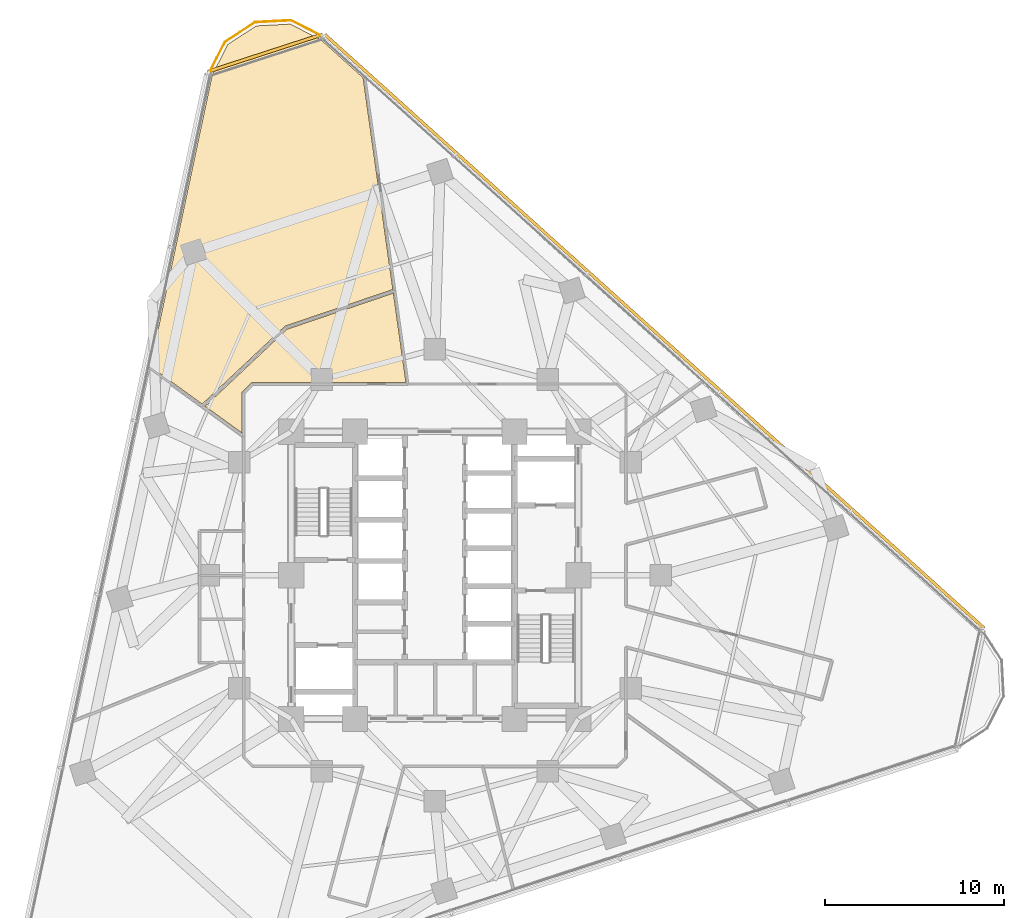
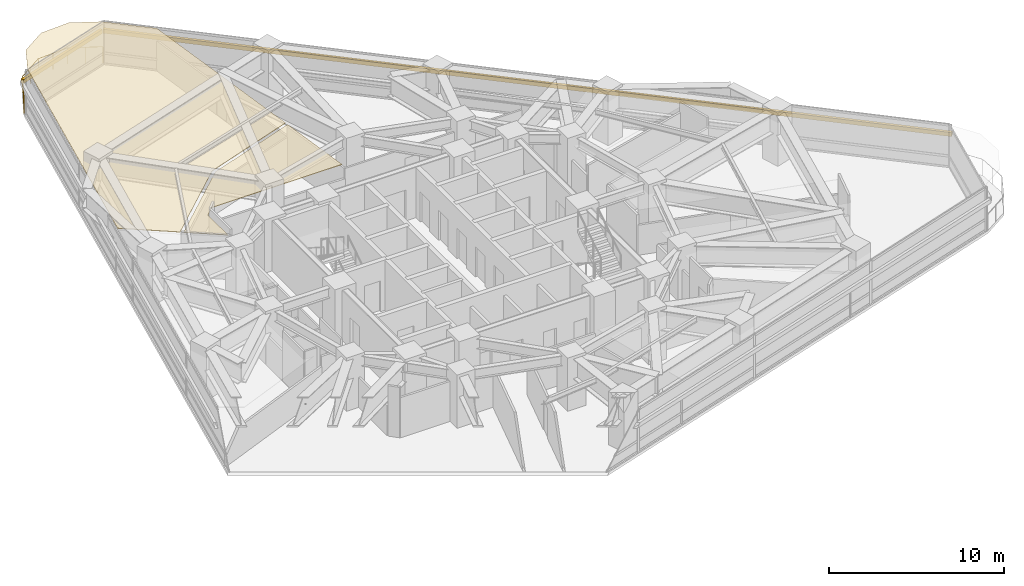
# One storey, part 14 of 14: 2 coverings, 2 shading devices, 1 railing.
"""IFC4 building model written with IfcOpenShell, lengths in metres."""

from ifc_helpers import new_model, si_unit, direction, frame, origin, origin_2d, place, context, subcontext, project, spatial, polyline, rectangle, circle, outline, extrude, material, layer, layer_set, type_object, element, save


model = new_model("IFC4")

# Units and contexts
model_context = context("Model", 3, precision=1e-05, world=origin(), true_north=direction((0.0, 1.0)))
body_context = subcontext(model_context, "Body", "Model", "MODEL_VIEW")
ifc_project = project(units=[si_unit("LENGTHUNIT", "METRE"), si_unit("AREAUNIT", "SQUARE_METRE"), si_unit("VOLUMEUNIT", "CUBIC_METRE"), si_unit("PLANEANGLEUNIT", "RADIAN"), si_unit("MASSUNIT", "GRAM", prefix="KILO")], contexts=[model_context])

# Site, building, storey
site_placement = place(None, origin())
site = spatial("IfcSite", under=ifc_project, at=site_placement, CompositionType="ELEMENT")
building_placement = place(site_placement, origin())
building = spatial("IfcBuilding", under=site, at=building_placement, Name="Terralouvre Media Tower", CompositionType="ELEMENT")
storey_placement = place(building_placement, frame((0.0, 0.0, 116.199951171875)))
storey = spatial("IfcBuildingStorey", under=building, at=storey_placement, Name="L29", CompositionType="ELEMENT", Elevation=116.199951171875)

# Coverings
ifc_material_1 = material(Name="Perforated aluminium acoustic ceiling baffle", Category="aluminium")
ifc_layer_1 = layer(ifc_material_1, 0.0400390625, Name="Perforated Acoustic Metal Tile Ceiling CL-AC1")
ifc_layer_set_1 = layer_set([ifc_layer_1], Name="Perforated aluminium acoustic ceiling baffle")
covering_type = type_object("IfcCoveringType", Name="Perforated Acoustic Metal Tile Ceiling CL-AC1", PredefinedType="CEILING", material=ifc_layer_set_1)
covering_1_placement = place(storey_placement, frame((0.0, 0.0, 2.97998046875), z_axis=(0.0, 0.0, 1.0), x_axis=(0.951056516295, 0.309016994375, 0.0)))
element("IfcCovering", 1, at=covering_1_placement, inside=storey, type_object=covering_type, Name="L29 Broadcast Forum Conference Room 5 Acoustic Ceiling", PredefinedType="CEILING", context=body_context, shape_type="SweptSolid", body=[
    extrude(outline(polyline([(-9.380859375, 13.081787109375), (-3.664306640625, 15.77734375), (-3.654541015625, 15.781494140625), (-3.644287109375, 15.784423828125), (-3.6337890625, 15.7861328125), (-3.623046875, 15.786865234375), (2.69677734375, 15.87060546875), (4.7666015625, 27.608154296875), (3.184326171875, 30.349365234375), (1.825927734375, 31.707275390625), (0.000244140625, 32.1962890625), (-1.826416015625, 31.70703125), (-3.1845703125, 30.3486328125), (-11.483154296875, 15.97509765625), (-9.380859375, 13.081787109375)])), origin(), (0.0, 0.0, 1.0), 0.0400390625),
])
covering_2_placement = place(storey_placement, frame((0.0, 0.0, 2.97998046875), z_axis=(0.0, 0.0, 1.0), x_axis=(0.951056516295, 0.309016994375, 0.0)))
element("IfcCovering", 2, at=covering_2_placement, inside=storey, type_object=covering_type, Name="L29 Exhibitions Reading Library 6 Acoustic Ceiling", PredefinedType="CEILING", context=body_context, shape_type="SweptSolid", body=[
    extrude(outline(polyline([(-3.5986328125, 15.587158203125), (-9.26123046875, 12.9169921875), (-7.77197265625, 10.867919921875), (-7.08740234375, 12.97509765625), (-7.083740234375, 12.984375), (-7.07958984375, 12.9931640625), (-7.07421875, 13.00146484375), (-7.068359375, 13.00927734375), (-7.0615234375, 13.016357421875), (-7.05419921875, 13.022705078125), (-7.046142578125, 13.0283203125), (-7.03759765625, 13.033447265625), (-6.407470703125, 13.354248046875), (-6.398681640625, 13.3583984375), (-6.389404296875, 13.361572265625), (-6.379638671875, 13.36376953125), (-6.3701171875, 13.364990234375), (-6.360107421875, 13.365234375), (-6.350341796875, 13.364501953125), (-6.3408203125, 13.363037109375), (-6.331298828125, 13.3603515625), (1.788818359375, 10.721923828125), (2.661376953125, 15.669921875), (-3.5986328125, 15.587158203125)])), origin(), (0.0, 0.0, 1.0), 0.0400390625),
])

# Railing
ifc_material_2 = material(Name="Stainless steel 316 handrail and balustrade", Category="steel")
ifc_layer_2 = layer(ifc_material_2, 0.06005859375, Name="Roof Edge Safety Guardrail GR-ROOF1")
ifc_layer_set_2 = layer_set([ifc_layer_2], Name="Stainless steel 316 handrail and balustrade")
railing_type = type_object("IfcRailingType", Name="Roof Edge Safety Guardrail GR-ROOF1", PredefinedType="GUARDRAIL", material=ifc_layer_set_2)
railing_placement = place(storey_placement, frame((-6.221435546875, 30.015869140625, 0.0)))
element("IfcRailing", 3, at=railing_placement, inside=storey, type_object=railing_type, Name="L29 Wind-Corner Perimeter Safety Guardrail C2", PredefinedType="GUARDRAIL", context=body_context, shape_type="SweptSolid", body=[
    extrude(circle(Radius=0.02099609375, at=origin_2d()), frame((0.0, 0.0, 1.12890625), z_axis=(-0.890922546915, 0.454155276748, 0.0), x_axis=(-0.454155276748, -0.890922546915, 0.0)), (0.0, 0.0, 1.0), 2.0078125),
    extrude(circle(Radius=0.02099609375, at=origin_2d()), frame((-1.788818359375, 0.911865234375, 1.12890625), z_axis=(-0.998637914219, -0.052175820874, 0.0), x_axis=(0.052175820874, -0.998637914219, 0.0)), (0.0, 0.0, 1.0), 2.00732421875),
    extrude(circle(Radius=0.02099609375, at=origin_2d()), frame((-3.79345703125, 0.80712890625, 1.12890625), z_axis=(-0.838632501794, -0.544697647264, 0.0), x_axis=(0.544697647264, -0.838632501794, 0.0)), (0.0, 0.0, 1.0), 2.007568359375),
    extrude(circle(Radius=0.02099609375, at=origin_2d()), frame((-5.47705078125, -0.286376953125, 1.12890625), z_axis=(-0.453767310879, -0.891120209387, 0.0), x_axis=(0.891120209387, -0.453767310879, 0.0)), (0.0, 0.0, 1.0), 2.0078125),
    extrude(circle(Radius=0.01904296875, at=origin_2d()), origin(), (0.0, 0.0, 1.0), 1.10791015625),
    extrude(circle(Radius=0.01904296875, at=origin_2d()), frame((-0.89453125, 0.4560546875, 0.0)), (0.0, 0.0, 1.0), 1.10791015625),
    extrude(circle(Radius=0.01904296875, at=origin_2d()), frame((-1.788818359375, 0.911865234375, 0.0)), (0.0, 0.0, 1.0), 1.10791015625),
    extrude(circle(Radius=0.01904296875, at=origin_2d()), frame((-2.791015625, 0.859375, 0.0)), (0.0, 0.0, 1.0), 1.10791015625),
    extrude(circle(Radius=0.01904296875, at=origin_2d()), frame((-3.79345703125, 0.80712890625, 0.0)), (0.0, 0.0, 1.0), 1.10791015625),
    extrude(circle(Radius=0.01904296875, at=origin_2d()), frame((-4.63525390625, 0.26025390625, 0.0)), (0.0, 0.0, 1.0), 1.10791015625),
    extrude(circle(Radius=0.01904296875, at=origin_2d()), frame((-5.47705078125, -0.286376953125, 0.0)), (0.0, 0.0, 1.0), 1.10791015625),
    extrude(circle(Radius=0.01904296875, at=origin_2d()), frame((-5.9326171875, -1.18115234375, 0.0)), (0.0, 0.0, 1.0), 1.10791015625),
    extrude(circle(Radius=0.01904296875, at=origin_2d()), frame((-6.38818359375, -2.07568359375, 0.0)), (0.0, 0.0, 1.0), 1.10791015625),
])

# Shading devices
ifc_material_3 = material(Name="Extruded terracotta baguette sunshade louvres", Category="masonry")
shading_device_type = type_object("IfcShadingDeviceType", Name="Terracotta Baguette Sunshade Louvre Screen TB-LV1", PredefinedType="USERDEFINED", material=ifc_material_3)
shading_device_1_placement = place(storey_placement, frame((12.23974609375, 13.59375, 2.02392578125), z_axis=(0.0, 0.0, 1.0), x_axis=(-0.743144795545, 0.669130639602, 0.0)))
element("IfcShadingDevice", 4, at=shading_device_1_placement, inside=storey, type_object=shading_device_type, Name="CW-L29-F1 Terracotta Baguette Sunshade Louvre", ObjectType="BAGUETTE", PredefinedType="USERDEFINED", context=body_context, shape_type="SweptSolid", body=[
    extrude(rectangle(XDim=49.43994140625, YDim=0.179931640625, at=origin_2d()), origin(), (0.0, 0.0, 1.0), 0.280029296875),
])
shading_device_2_placement = place(storey_placement, frame((-9.457275390625, 29.106201171875, 2.02392578125), z_axis=(0.0, 0.0, 1.0), x_axis=(-0.951056286408, -0.309017701894, 0.0)))
element("IfcShadingDevice", 5, at=shading_device_2_placement, inside=storey, type_object=shading_device_type, Name="CW-L29-C2 Terracotta Baguette Sunshade Louvre", ObjectType="BAGUETTE", PredefinedType="USERDEFINED", context=body_context, shape_type="SweptSolid", body=[
    extrude(rectangle(XDim=6.720458984375, YDim=0.179931640625, at=origin_2d()), origin(), (0.0, 0.0, 1.0), 0.280029296875),
])

save(model, "model.ifc")
